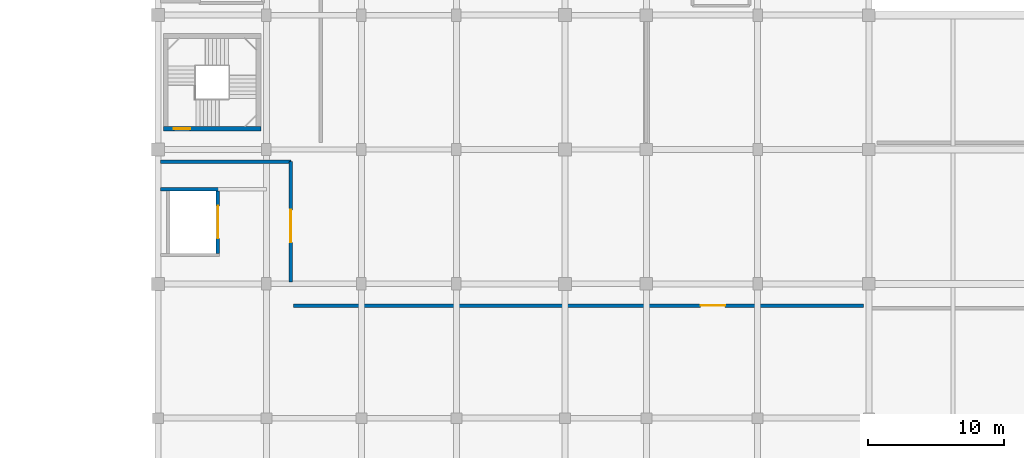
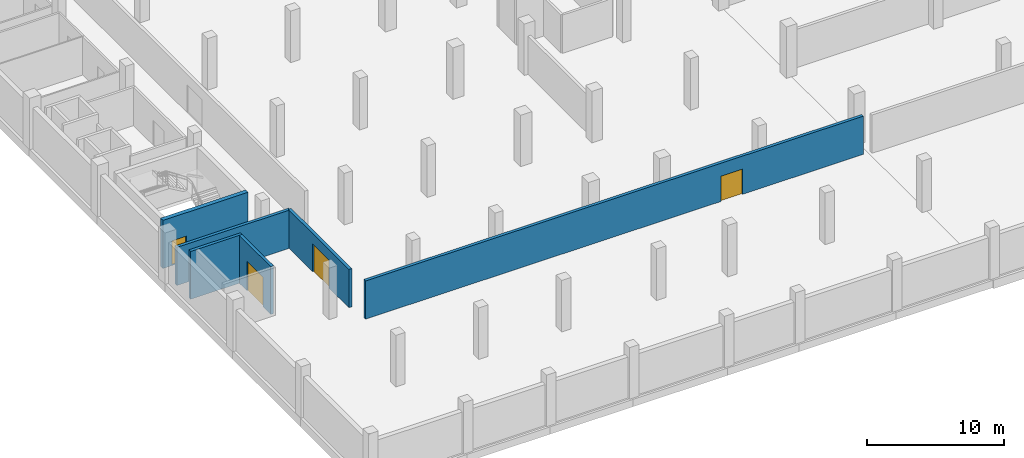
# One storey, part 9 of 32: 6 walls, 4 doors, 4 openings.
"""IFC4 building model written with IfcOpenShell, lengths in metres."""

from ifc_helpers import new_model, si_unit, direction, frame, frame_2d, origin, place, context, subcontext, project, spatial, rectangle, extrude, material, layer, layer_set, type_object, element, fill, save


model = new_model("IFC4")

# Units and contexts
model_context = context("Model", 3, precision=1e-05, world=origin(), true_north=direction((0.0, 1.0)))
body_context = subcontext(model_context, "Body", "Model", "MODEL_VIEW")
ifc_project = project(units=[si_unit("LENGTHUNIT", "METRE"), si_unit("AREAUNIT", "SQUARE_METRE"), si_unit("VOLUMEUNIT", "CUBIC_METRE"), si_unit("PLANEANGLEUNIT", "RADIAN"), si_unit("MASSUNIT", "GRAM", prefix="KILO")], contexts=[model_context])

# Site, building, storey
site_placement = place(None, origin())
site = spatial("IfcSite", under=ifc_project, at=site_placement, CompositionType="ELEMENT")
building_placement = place(site_placement, origin())
building = spatial("IfcBuilding", under=site, at=building_placement, Name="Sillaruma Civic Art Gallery", CompositionType="ELEMENT")
storey_placement = place(building_placement, frame((0.0, 0.0, -4.590087890625)))
storey = spatial("IfcBuildingStorey", under=building, at=storey_placement, Name="B01", CompositionType="ELEMENT", Elevation=-4.590087890625)

# Wall, opening, door
ifc_material_1 = material(Name="Concrete H40 (40 MPa)", Category="concrete")
ifc_layer_1 = layer(ifc_material_1, 0.35009765625, Name="Concrete H40 (40 MPa)")
ifc_layer_set_1 = layer_set([ifc_layer_1], Name="Concrete H40 (40 MPa)")
wall_type_1 = type_object("IfcWallType", Name="WAL-CORE-350", PredefinedType="SHEAR", material=ifc_layer_set_1)
wall_1_placement = place(storey_placement, frame((62.409912109375, 31.235107421875, 0.0), z_axis=(0.0, 0.0, 1.0), x_axis=(1.0, 0.0, 0.0)))
wall_1 = element("IfcWall", 1, at=wall_1_placement, inside=storey, type_object=wall_type_1, Name="Stair Core Shear Wall W-CORE-350 (ST-03:B01:S)", PredefinedType="SHEAR", context=body_context, shape_type="SweptSolid", body=[
    extrude(rectangle(XDim=7.18017578125, YDim=0.35009765625, at=frame_2d((3.590087890625, 0.0))), origin(), (0.0, 0.0, 1.0), 4.2900390625),
])
opening_1_placement = place(wall_1_placement, frame((0.77001953125, 0.0, 0.0)))
opening_1 = element("IfcOpeningElement", 2, at=opening_1_placement, cuts=wall_1, Name="Opening D-STAIR", PredefinedType="OPENING", context=body_context, shape_type="SweptSolid", body=[
    extrude(rectangle(XDim=1.199951171875, YDim=2.199951171875, at=frame_2d((0.60009765625, 1.10009765625))), frame((0.0, 0.18505859375, 0.0), z_axis=(0.0, -1.0, 0.0), x_axis=(1.0, 0.0, 0.0)), (0.0, 0.0, 1.0), 0.3701171875),
])
ifc_material_2 = material(Name="Galvanised Steel ASTM A653 Gr.50", Category="steel")
door_type_1 = type_object("IfcDoorType", Name="DOR-STAIR-120", OperationType="NOTDEFINED", PredefinedType="DOOR", material=ifc_material_2)
door_1_placement = place(opening_1_placement, origin())
door_1 = element("IfcDoor", 3, at=door_1_placement, inside=storey, type_object=door_type_1, Name="Protected Stair Fire Door (ST-03:B01)", OperationType="SINGLE_SWING_LEFT", OverallHeight=2.199951171875, OverallWidth=1.199951171875, PredefinedType="DOOR", context=body_context, shape_type="SweptSolid", body=[
    extrude(rectangle(XDim=1.199951171875, YDim=2.199951171875, at=frame_2d((0.60009765625, 1.10009765625))), frame((0.0, 0.02490234375, 0.0), z_axis=(0.0, -1.0, 0.0), x_axis=(1.0, 0.0, 0.0)), (0.0, 0.0, 1.0), 0.050048828125),
])
fill(opening_1, door_1)

# Wall
ifc_layer_2 = layer(ifc_material_1, 0.25, Name="Concrete H40 (40 MPa)")
ifc_layer_set_2 = layer_set([ifc_layer_2], Name="Concrete H40 (40 MPa)")
wall_type_2 = type_object("IfcWallType", Name="WAL-SHAFT-250", PredefinedType="SOLIDWALL", material=ifc_layer_set_2)
wall_2_placement = place(storey_placement, frame((62.199951171875, 26.77490234375, 0.0), z_axis=(0.0, 0.0, 1.0), x_axis=(1.0, 0.0, 0.0)))
element("IfcWall", 4, at=wall_2_placement, inside=storey, type_object=wall_type_2, Name="Lift Shaft Wall W-SHAFT-250 (GL-01:B01:N)", PredefinedType="SOLIDWALL", context=body_context, shape_type="SweptSolid", body=[
    extrude(rectangle(XDim=4.35009765625, YDim=0.25, at=frame_2d((2.175048828125, 0.0))), origin(), (0.0, 0.0, 1.0), 4.27001953125),
])

# Wall, opening, door
wall_3_placement = place(storey_placement, frame((66.425048828125, 22.050048828125, 0.0), z_axis=(0.0, 0.0, 1.0), x_axis=(0.0, 1.0, 0.0)))
wall_3 = element("IfcWall", 5, at=wall_3_placement, inside=storey, type_object=wall_type_2, Name="Lift Shaft Wall W-SHAFT-250 (GL-01:B01:E)", PredefinedType="SOLIDWALL", context=body_context, shape_type="SweptSolid", body=[
    extrude(rectangle(XDim=4.599853515625, YDim=0.25, at=frame_2d((2.2998046875, 0.0))), origin(), (0.0, 0.0, 1.0), 4.27001953125),
])
opening_2_placement = place(wall_3_placement, frame((1.10009765625, 0.0, 0.0)))
opening_2 = element("IfcOpeningElement", 6, at=opening_2_placement, cuts=wall_3, Name="Opening LD-03", PredefinedType="OPENING", context=body_context, shape_type="SweptSolid", body=[
    extrude(rectangle(XDim=2.39990234375, YDim=2.64990234375, at=frame_2d((1.199951171875, 1.324951171875))), frame((0.0, 0.135009765625, 0.0), z_axis=(0.0, -1.0, 0.0), x_axis=(1.0, 0.0, 0.0)), (0.0, 0.0, 1.0), 0.27001953125),
])
door_type_2 = type_object("IfcDoorType", Name="DOR-LD-03", OperationType="NOTDEFINED", PredefinedType="DOOR", material=ifc_material_2)
door_2_placement = place(opening_2_placement, origin())
door_2 = element("IfcDoor", 7, at=door_2_placement, inside=storey, type_object=door_type_2, Name="Lift Sliding Landing Door LD-03 (GL-01:B01)", OperationType="DOUBLE_DOOR_SLIDING", OverallHeight=2.64990234375, OverallWidth=2.39990234375, PredefinedType="DOOR", context=body_context, shape_type="SweptSolid", body=[
    extrude(rectangle(XDim=2.39990234375, YDim=2.64990234375, at=frame_2d((1.199951171875, 1.324951171875))), frame((0.0, 0.02490234375, 0.0), z_axis=(0.0, -1.0, 0.0), x_axis=(1.0, 0.0, 0.0)), (0.0, 0.0, 1.0), 0.050048828125),
])
fill(opening_2, door_2)

# Wall
ifc_material_3 = material(Name="Concrete Masonry Unit Grade M15", Category="masonry")
ifc_layer_3 = layer(ifc_material_3, 0.2548828125, Name="Concrete Masonry Unit Grade M15")
ifc_layer_set_3 = layer_set([ifc_layer_3], Name="Concrete Masonry Unit Grade M15")
wall_type_3 = type_object("IfcWallType", Name="WAL-STORE-250", PredefinedType="SOLIDWALL", material=ifc_layer_set_3)
wall_4_placement = place(storey_placement, frame((62.199951171875, 28.800048828125, 0.0), z_axis=(0.0, 0.0, 1.0), x_axis=(1.0, 0.0, 0.0)))
element("IfcWall", 8, at=wall_4_placement, inside=storey, type_object=wall_type_3, Name="Interior Wall W-STORE-250 (B01-AIR)", PredefinedType="SOLIDWALL", context=body_context, shape_type="SweptSolid", body=[
    extrude(rectangle(XDim=9.60009765625, YDim=0.2548828125, at=frame_2d((4.800048828125, 0.0))), origin(), (0.0, 0.0, 1.0), 3.41015625),
])

# Wall, opening, door
wall_5_placement = place(storey_placement, frame((71.800048828125, 19.949951171875, 0.0), z_axis=(0.0, 0.0, 1.0), x_axis=(0.0, 1.0, 0.0)))
wall_5 = element("IfcWall", 9, at=wall_5_placement, inside=storey, type_object=wall_type_3, Name="Interior Wall W-STORE-250 (B01-AIR)", PredefinedType="SOLIDWALL", context=body_context, shape_type="SweptSolid", body=[
    extrude(rectangle(XDim=8.85009765625, YDim=0.2548828125, at=frame_2d((4.425048828125, 0.0))), origin(), (0.0, 0.0, 1.0), 3.41015625),
])
opening_3_placement = place(wall_5_placement, frame((2.89990234375, 0.0, 0.0)))
opening_3 = element("IfcOpeningElement", 10, at=opening_3_placement, cuts=wall_5, Name="Opening D-STR24", PredefinedType="OPENING", context=body_context, shape_type="SweptSolid", body=[
    extrude(rectangle(XDim=2.39990234375, YDim=2.5, at=frame_2d((1.199951171875, 1.25))), frame((0.0, 0.137451171875, 0.0), z_axis=(0.0, -1.0, 0.0), x_axis=(1.0, 0.0, 0.0)), (0.0, 0.0, 1.0), 0.27490234375),
])
door_type_3 = type_object("IfcDoorType", Name="DOR-STORE-240", OperationType="NOTDEFINED", PredefinedType="DOOR", material=ifc_material_2)
door_3_placement = place(opening_3_placement, origin())
door_3 = element("IfcDoor", 11, at=door_3_placement, inside=storey, type_object=door_type_3, Name="Crate Airlock Door (D-STR24)", OperationType="DOUBLE_DOOR_SINGLE_SWING", OverallHeight=2.5, OverallWidth=2.39990234375, PredefinedType="DOOR", context=body_context, shape_type="SweptSolid", body=[
    extrude(rectangle(XDim=2.39990234375, YDim=2.5, at=frame_2d((1.199951171875, 1.25))), frame((0.0, 0.02490234375, 0.0), z_axis=(0.0, -1.0, 0.0), x_axis=(1.0, 0.0, 0.0)), (0.0, 0.0, 1.0), 0.050048828125),
])
fill(opening_3, door_3)

wall_6_placement = place(storey_placement, frame((72.0, 18.199951171875, 0.0), z_axis=(0.0, 0.0, 1.0), x_axis=(1.0, 0.0, 0.0)))
wall_6 = element("IfcWall", 12, at=wall_6_placement, inside=storey, type_object=wall_type_3, Name="Interior Wall W-STORE-250 (B01-PLTS)", PredefinedType="SOLIDWALL", context=body_context, shape_type="SweptSolid", body=[
    extrude(rectangle(XDim=42.0, YDim=0.2548828125, at=frame_2d((21.0, 0.0))), origin(), (0.0, 0.0, 1.0), 3.41015625),
])
opening_4_placement = place(wall_6_placement, frame((30.0, 0.0, 0.0)))
opening_4 = element("IfcOpeningElement", 13, at=opening_4_placement, cuts=wall_6, Name="Opening D-PLANT", PredefinedType="OPENING", context=body_context, shape_type="SweptSolid", body=[
    extrude(rectangle(XDim=1.800048828125, YDim=2.25, at=frame_2d((0.89990234375, 1.125))), frame((0.0, 0.137451171875, 0.0), z_axis=(0.0, -1.0, 0.0), x_axis=(1.0, 0.0, 0.0)), (0.0, 0.0, 1.0), 0.27490234375),
])
door_type_4 = type_object("IfcDoorType", Name="DOR-PLANT-180", OperationType="NOTDEFINED", PredefinedType="DOOR", material=ifc_material_2)
door_4_placement = place(opening_4_placement, origin())
door_4 = element("IfcDoor", 14, at=door_4_placement, inside=storey, type_object=door_type_4, Name="Fire Water Reserve and Cistern Plant Room Door (D-PLANT)", OperationType="DOUBLE_DOOR_SINGLE_SWING", OverallHeight=2.25, OverallWidth=1.800048828125, PredefinedType="DOOR", context=body_context, shape_type="SweptSolid", body=[
    extrude(rectangle(XDim=1.800048828125, YDim=2.25, at=frame_2d((0.89990234375, 1.125))), frame((0.0, 0.02490234375, 0.0), z_axis=(0.0, -1.0, 0.0), x_axis=(1.0, 0.0, 0.0)), (0.0, 0.0, 1.0), 0.050048828125),
])
fill(opening_4, door_4)

save(model, "model.ifc")
